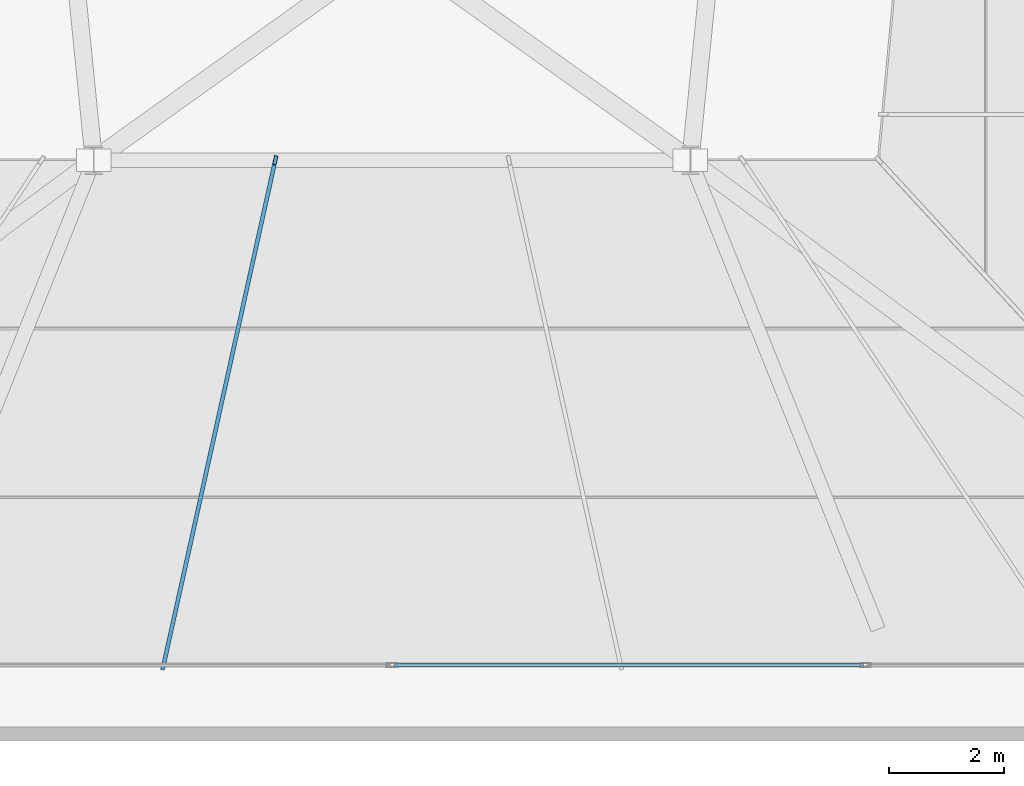
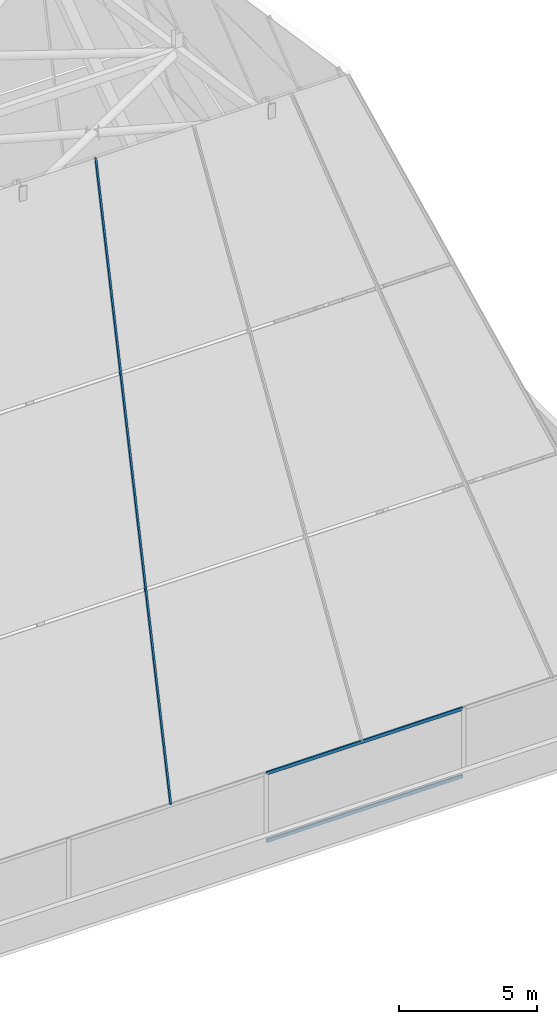
# One storey, part 6 of 32: 3 members, 1 element without a shape of its own.
"""IFC4 building model written with IfcOpenShell, lengths in metres."""

from ifc_helpers import new_model, si_unit, direction, frame, origin, origin_2d, place, context, subcontext, project, spatial, hollow_rectangle, extrude, source, transform, mapped, material, layer, layer_set, material_profile, profile_set, type_object, element, aggregate, save


model = new_model("IFC4")

# Units and contexts
model_context = context("Model", 3, precision=1e-05, world=origin(), true_north=direction((0.0, 1.0)))
body_context = subcontext(model_context, "Body", "Model", "MODEL_VIEW")
ifc_project = project(units=[si_unit("LENGTHUNIT", "METRE"), si_unit("AREAUNIT", "SQUARE_METRE"), si_unit("VOLUMEUNIT", "CUBIC_METRE"), si_unit("PLANEANGLEUNIT", "RADIAN"), si_unit("MASSUNIT", "GRAM", prefix="KILO")], contexts=[model_context])

# Site, building, storey
site_placement = place(None, origin())
site = spatial("IfcSite", under=ifc_project, at=site_placement, CompositionType="ELEMENT")
building_placement = place(site_placement, origin())
building = spatial("IfcBuilding", under=site, at=building_placement, Name="Sumidabori Civic Tower", CompositionType="ELEMENT")
storey_placement = place(building_placement, frame((0.0, 0.0, 298.199951171875)))
storey = spatial("IfcBuildingStorey", under=building, at=storey_placement, Name="RF Roof Crown", CompositionType="ELEMENT", Elevation=298.199951171875)

# Curtain wall, members
ifc_material = material(Name="Anodised Bronze Aluminium AW-6063-T6", Category="aluminium")
ifc_layer = layer(ifc_material, 0.179931640625, Name="Anodised Bronze Aluminium AW-6063-T6")
ifc_layer_set = layer_set([ifc_layer], Name="Anodised Bronze Aluminium AW-6063-T6")
curtain_wall_type = type_object("IfcCurtainWallType", Name="CW-SYS-6", PredefinedType="NOTDEFINED", material=ifc_layer_set)
curtain_wall_placement = place(storey_placement, origin())
curtain_wall = element("IfcCurtainWall", 1, at=curtain_wall_placement, inside=storey, type_object=curtain_wall_type, Name="Glass-Point Crown South Prow Curtain Wall", PredefinedType="NOTDEFINED")
ifc_material_profile_1 = material_profile(ifc_material, hollow_rectangle(XDim=0.06494140625, YDim=0.14990234375, WallThickness=0.0048828125, at=origin_2d()), Name="ALU TRANSOM 150x65")
ifc_profile_set_1 = profile_set([ifc_material_profile_1], Name="Anodised Bronze Aluminium AW-6063-T6")
member_type_1 = type_object("IfcMemberType", Name="CW-TRN-150", PredefinedType="USERDEFINED", material=ifc_profile_set_1)
shared_shape_1 = source(origin(), body_context, "Body", "SweptSolid", [
    extrude(hollow_rectangle(XDim=0.06494140625, YDim=0.14990234375, WallThickness=0.0048828125, at=origin_2d()), origin(), (0.0, 0.0, 1.0), 8.18017578125),
])
member_1_placement = place(storey_placement, frame((0.034912109375, -10.800048828125, 0.032470703125), z_axis=(1.0, 0.0, 0.0), x_axis=(0.0, 1.0, 0.0)))
member_1 = element("IfcMember", 2, at=member_1_placement, type_object=member_type_1, Name="CW-6 transom 3.1", ObjectType="TRANSOM", PredefinedType="USERDEFINED", context=body_context, shape_type="MappedRepresentation", body=[
    mapped(shared_shape_1, transform((0.0, 0.0, 0.0), x_axis=(1.0, 0.0, 0.0), y_axis=(0.0, 1.0, 0.0), z_axis=(0.0, 0.0, 1.0), scale=1.0)),
])
member_2_placement = place(storey_placement, frame((0.034912109375, -10.800048828125, 3.017578125), z_axis=(1.0, 0.0, 0.0), x_axis=(0.0, 1.0, 0.0)))
member_2 = element("IfcMember", 3, at=member_2_placement, type_object=member_type_1, Name="CW-6 transom 3.2", ObjectType="TRANSOM", PredefinedType="USERDEFINED", context=body_context, shape_type="MappedRepresentation", body=[
    mapped(shared_shape_1, transform((0.0, 0.0, 0.0), x_axis=(1.0, 0.0, 0.0), y_axis=(0.0, 1.0, 0.0), z_axis=(0.0, 0.0, 1.0), scale=1.0)),
])
ifc_material_profile_2 = material_profile(ifc_material, hollow_rectangle(XDim=0.070068359375, YDim=0.179931640625, WallThickness=0.006103515625, at=origin_2d()), Name="ALU MULLION 180x70")
ifc_profile_set_2 = profile_set([ifc_material_profile_2], Name="Anodised Bronze Aluminium AW-6063-T6")
member_type_2 = type_object("IfcMemberType", Name="CW-MUL-180", PredefinedType="MULLION", material=ifc_profile_set_2)
shared_shape_2 = source(origin(), body_context, "Body", "SweptSolid", [
    extrude(hollow_rectangle(XDim=0.070068359375, YDim=0.179931640625, WallThickness=0.006103515625, at=origin_2d()), origin(), (0.0, 0.0, 1.0), 24.275146484375),
])
member_3_placement = place(storey_placement, frame((-3.98388671875, -10.800048828125, 3.050048828125), z_axis=(0.080216205059, 0.362511673939, 0.928520676509), x_axis=(-0.976381698206, 0.216052723676, 0.0)))
member_3 = element("IfcMember", 4, at=member_3_placement, type_object=member_type_2, Name="Crown South Prow Sloped Mullion M2", PredefinedType="MULLION", context=body_context, shape_type="MappedRepresentation", body=[
    mapped(shared_shape_2, transform((0.0, 0.0, 0.0), x_axis=(1.0, 0.0, 0.0), y_axis=(0.0, 1.0, 0.0), z_axis=(0.0, 0.0, 1.0), scale=1.0)),
])
aggregate(curtain_wall, [member_1, member_2, member_3])

save(model, "model.ifc")
